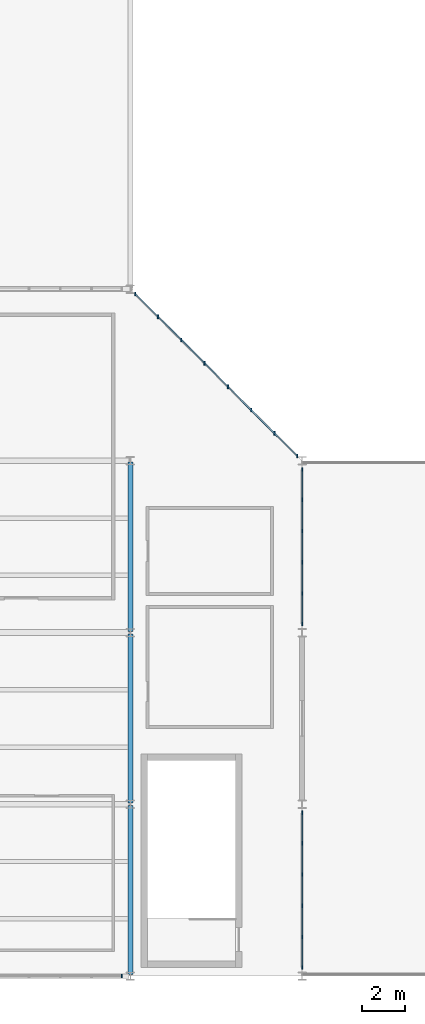
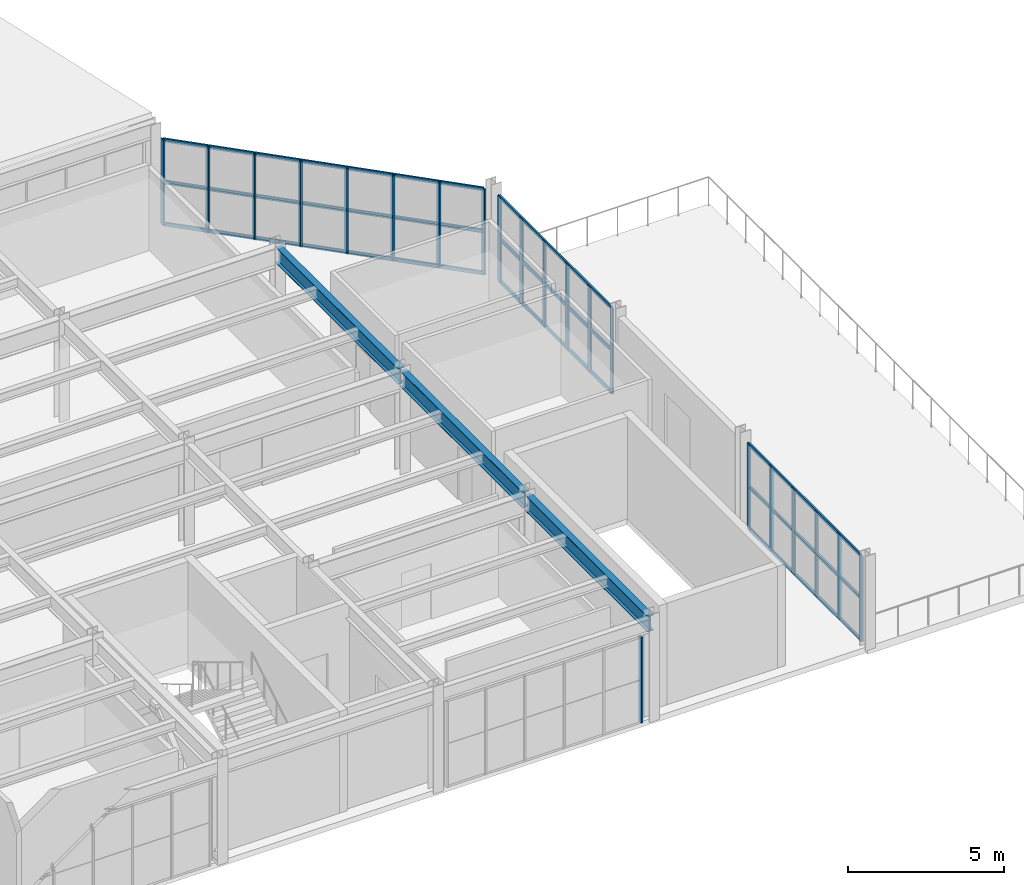
# One storey, part 4 of 27: 30 members, 3 beams, 4 elements without a shape of their own.
"""IFC4 building model written with IfcOpenShell, lengths in metres."""

from ifc_helpers import new_model, si_unit, direction, frame, origin, origin_2d, place, context, subcontext, project, spatial, rectangle, i_section, extrude, material, material_profile, profile_set, type_object, element, aggregate, save


model = new_model("IFC4")

# Units and contexts
model_context = context("Model", 3, precision=1e-05, world=origin(), true_north=direction((0.0, 1.0)))
body_context = subcontext(model_context, "Body", "Model", "MODEL_VIEW")
ifc_project = project(units=[si_unit("LENGTHUNIT", "METRE"), si_unit("AREAUNIT", "SQUARE_METRE"), si_unit("VOLUMEUNIT", "CUBIC_METRE"), si_unit("PLANEANGLEUNIT", "RADIAN"), si_unit("MASSUNIT", "GRAM", prefix="KILO")], contexts=[model_context])

# Site, building, storey
site_placement = place(None, origin())
site = spatial("IfcSite", under=ifc_project, at=site_placement, CompositionType="ELEMENT")
building_placement = place(site_placement, origin())
building = spatial("IfcBuilding", under=site, at=building_placement, Name="Drelvath Fold Interchange", CompositionType="ELEMENT")
storey_placement = place(building_placement, frame((0.0, 0.0, 19.800048828125)))
storey = spatial("IfcBuildingStorey", under=building, at=storey_placement, Name="L04", CompositionType="ELEMENT", Elevation=19.800048828125)

# Beams
ifc_material_1 = material(Name="Steel ASTM A992 Grade 50", Category="steel")
ifc_material_profile_1 = material_profile(ifc_material_1, i_section(OverallWidth=0.22998046875, OverallDepth=0.616943359375, WebThickness=0.01318359375, FlangeThickness=0.022216796875, at=origin_2d()), Name="W24X94")
ifc_profile_set_1 = profile_set([ifc_material_profile_1], Name="Steel ASTM A992 Grade 50")
beam_type = type_object("IfcBeamType", Name="BM-W24X94", PredefinedType="BEAM", material=ifc_profile_set_1)
for number, where, z_axis, x_axis, name in (
    (1, (36.0, 3.06005859375, 3.677001953125), (0.0, 1.0, 0.0), (-1.0, 0.0, 0.0), "L04 Primary Y girder BM-W24X94"),
    (2, (36.0, 11.06005859375, 3.677001953125), (0.0, 1.0, 0.0), (-1.0, 0.0, 0.0), "L04 Primary Y girder BM-W24X94"),
    (3, (36.0, 19.06005859375, 3.677001953125), (0.0, 1.0, 0.0), (-1.0, 0.0, 0.0), "L04 Primary Y girder BM-W24X94"),
):
    element("IfcBeam", number, at=place(storey_placement, frame(where, z_axis=z_axis, x_axis=x_axis)), inside=storey, type_object=beam_type, Name=name, PredefinedType="BEAM", context=body_context, shape_type="SweptSolid", body=[
        extrude(i_section(OverallWidth=0.22998046875, OverallDepth=0.616943359375, WebThickness=0.01318359375, FlangeThickness=0.022216796875, at=origin_2d()), origin(), (0.0, 0.0, 1.0), 7.8798828125),
    ])

# Curtain wall, member
ifc_material_2 = material(Name="Anodized Aluminium 6063-T6", Category="aluminium")
curtain_wall_type_1 = type_object("IfcCurtainWallType", Name="CW-OPS-UPP", PredefinedType="USERDEFINED", material=ifc_material_2)
curtain_wall_1_placement = place(storey_placement, origin())
curtain_wall_1 = element("IfcCurtainWall", 4, at=curtain_wall_1_placement, inside=storey, type_object=curtain_wall_type_1, Name="Curtain wall CW-V5-L04-S28", ObjectType="UNITISED CURTAIN WALL", PredefinedType="USERDEFINED")
ifc_material_profile_2 = material_profile(ifc_material_2, rectangle(XDim=0.06005859375, YDim=0.175048828125, at=origin_2d()), Name="AL-M 60x175")
ifc_profile_set_2 = profile_set([ifc_material_profile_2], Name="Anodized Aluminium 6063-T6")
member_type_1 = type_object("IfcMemberType", Name="ML-175", PredefinedType="MULLION", material=ifc_profile_set_2)
member_1_placement = place(storey_placement, frame((35.60009765625, 3.0, 0.0), z_axis=(0.0, 0.0, 1.0), x_axis=(1.0, 0.0, 0.0)))
member_1 = element("IfcMember", 5, at=member_1_placement, type_object=member_type_1, Name="CW-V5-L04-S28 mullion 5", PredefinedType="MULLION", context=body_context, shape_type="SweptSolid", body=[
    extrude(rectangle(XDim=0.06005859375, YDim=0.175048828125, at=origin_2d()), origin(), (0.0, 0.0, 1.0), 3.349853515625),
])
aggregate(curtain_wall_1, [member_1])

# Curtain wall, members
curtain_wall_2_placement = place(storey_placement, origin())
curtain_wall_2 = element("IfcCurtainWall", 6, at=curtain_wall_2_placement, inside=storey, type_object=curtain_wall_type_1, Name="Curtain wall CW-V5-L04-E3", ObjectType="UNITISED CURTAIN WALL", PredefinedType="USERDEFINED")
member_2_placement = place(storey_placement, frame((44.0, 3.39990234375, 0.0), z_axis=(0.0, 0.0, 1.0), x_axis=(1.0, 0.0, 0.0)))
member_2 = element("IfcMember", 7, at=member_2_placement, type_object=member_type_1, Name="CW-V5-L04-E3 mullion 0", PredefinedType="MULLION", context=body_context, shape_type="SweptSolid", body=[
    extrude(rectangle(XDim=0.06005859375, YDim=0.175048828125, at=origin_2d()), origin(), (0.0, 0.0, 1.0), 3.349853515625),
])
member_3_placement = place(storey_placement, frame((44.0, 4.81591796875, 0.0), z_axis=(0.0, 0.0, 1.0), x_axis=(1.0, 0.0, 0.0)))
member_3 = element("IfcMember", 8, at=member_3_placement, type_object=member_type_1, Name="CW-V5-L04-E3 mullion 1", PredefinedType="MULLION", context=body_context, shape_type="SweptSolid", body=[
    extrude(rectangle(XDim=0.06005859375, YDim=0.175048828125, at=origin_2d()), origin(), (0.0, 0.0, 1.0), 3.349853515625),
])
member_4_placement = place(storey_placement, frame((44.0, 6.27197265625, 0.0), z_axis=(0.0, 0.0, 1.0), x_axis=(1.0, 0.0, 0.0)))
member_4 = element("IfcMember", 9, at=member_4_placement, type_object=member_type_1, Name="CW-V5-L04-E3 mullion 2", PredefinedType="MULLION", context=body_context, shape_type="SweptSolid", body=[
    extrude(rectangle(XDim=0.06005859375, YDim=0.175048828125, at=origin_2d()), origin(), (0.0, 0.0, 1.0), 3.349853515625),
])
member_5_placement = place(storey_placement, frame((44.0, 7.72802734375, 0.0), z_axis=(0.0, 0.0, 1.0), x_axis=(1.0, 0.0, 0.0)))
member_5 = element("IfcMember", 10, at=member_5_placement, type_object=member_type_1, Name="CW-V5-L04-E3 mullion 3", PredefinedType="MULLION", context=body_context, shape_type="SweptSolid", body=[
    extrude(rectangle(XDim=0.06005859375, YDim=0.175048828125, at=origin_2d()), origin(), (0.0, 0.0, 1.0), 3.349853515625),
])
member_6_placement = place(storey_placement, frame((44.0, 9.18408203125, 0.0), z_axis=(0.0, 0.0, 1.0), x_axis=(1.0, 0.0, 0.0)))
member_6 = element("IfcMember", 11, at=member_6_placement, type_object=member_type_1, Name="CW-V5-L04-E3 mullion 4", PredefinedType="MULLION", context=body_context, shape_type="SweptSolid", body=[
    extrude(rectangle(XDim=0.06005859375, YDim=0.175048828125, at=origin_2d()), origin(), (0.0, 0.0, 1.0), 3.349853515625),
])
member_7_placement = place(storey_placement, frame((44.0, 10.60009765625, 0.0), z_axis=(0.0, 0.0, 1.0), x_axis=(1.0, 0.0, 0.0)))
member_7 = element("IfcMember", 12, at=member_7_placement, type_object=member_type_1, Name="CW-V5-L04-E3 mullion 5", PredefinedType="MULLION", context=body_context, shape_type="SweptSolid", body=[
    extrude(rectangle(XDim=0.06005859375, YDim=0.175048828125, at=origin_2d()), origin(), (0.0, 0.0, 1.0), 3.349853515625),
])

curtain_wall_3_placement = place(storey_placement, origin())
curtain_wall_3 = element("IfcCurtainWall", 13, at=curtain_wall_3_placement, inside=storey, type_object=curtain_wall_type_1, Name="Curtain wall CW-V5-L04-E19", ObjectType="UNITISED CURTAIN WALL", PredefinedType="USERDEFINED")
member_8_placement = place(storey_placement, frame((44.0, 19.39990234375, 0.0), z_axis=(0.0, 0.0, 1.0), x_axis=(1.0, 0.0, 0.0)))
member_8 = element("IfcMember", 14, at=member_8_placement, type_object=member_type_1, Name="CW-V5-L04-E19 mullion 0", PredefinedType="MULLION", context=body_context, shape_type="SweptSolid", body=[
    extrude(rectangle(XDim=0.06005859375, YDim=0.175048828125, at=origin_2d()), origin(), (0.0, 0.0, 1.0), 3.349853515625),
])
member_9_placement = place(storey_placement, frame((44.0, 20.81591796875, 0.0), z_axis=(0.0, 0.0, 1.0), x_axis=(1.0, 0.0, 0.0)))
member_9 = element("IfcMember", 15, at=member_9_placement, type_object=member_type_1, Name="CW-V5-L04-E19 mullion 1", PredefinedType="MULLION", context=body_context, shape_type="SweptSolid", body=[
    extrude(rectangle(XDim=0.06005859375, YDim=0.175048828125, at=origin_2d()), origin(), (0.0, 0.0, 1.0), 3.349853515625),
])
member_10_placement = place(storey_placement, frame((44.0, 22.27197265625, 0.0), z_axis=(0.0, 0.0, 1.0), x_axis=(1.0, 0.0, 0.0)))
member_10 = element("IfcMember", 16, at=member_10_placement, type_object=member_type_1, Name="CW-V5-L04-E19 mullion 2", PredefinedType="MULLION", context=body_context, shape_type="SweptSolid", body=[
    extrude(rectangle(XDim=0.06005859375, YDim=0.175048828125, at=origin_2d()), origin(), (0.0, 0.0, 1.0), 3.349853515625),
])
member_11_placement = place(storey_placement, frame((44.0, 23.72802734375, 0.0), z_axis=(0.0, 0.0, 1.0), x_axis=(1.0, 0.0, 0.0)))
member_11 = element("IfcMember", 17, at=member_11_placement, type_object=member_type_1, Name="CW-V5-L04-E19 mullion 3", PredefinedType="MULLION", context=body_context, shape_type="SweptSolid", body=[
    extrude(rectangle(XDim=0.06005859375, YDim=0.175048828125, at=origin_2d()), origin(), (0.0, 0.0, 1.0), 3.349853515625),
])
member_12_placement = place(storey_placement, frame((44.0, 25.18408203125, 0.0), z_axis=(0.0, 0.0, 1.0), x_axis=(1.0, 0.0, 0.0)))
member_12 = element("IfcMember", 18, at=member_12_placement, type_object=member_type_1, Name="CW-V5-L04-E19 mullion 4", PredefinedType="MULLION", context=body_context, shape_type="SweptSolid", body=[
    extrude(rectangle(XDim=0.06005859375, YDim=0.175048828125, at=origin_2d()), origin(), (0.0, 0.0, 1.0), 3.349853515625),
])
member_13_placement = place(storey_placement, frame((44.0, 26.60009765625, 0.0), z_axis=(0.0, 0.0, 1.0), x_axis=(1.0, 0.0, 0.0)))
member_13 = element("IfcMember", 19, at=member_13_placement, type_object=member_type_1, Name="CW-V5-L04-E19 mullion 5", PredefinedType="MULLION", context=body_context, shape_type="SweptSolid", body=[
    extrude(rectangle(XDim=0.06005859375, YDim=0.175048828125, at=origin_2d()), origin(), (0.0, 0.0, 1.0), 3.349853515625),
])

curtain_wall_type_2 = type_object("IfcCurtainWallType", Name="CW-OPS-CHM", PredefinedType="USERDEFINED", material=ifc_material_2)
curtain_wall_4_placement = place(storey_placement, origin())
curtain_wall_4 = element("IfcCurtainWall", 20, at=curtain_wall_4_placement, inside=storey, type_object=curtain_wall_type_2, Name="Curtain wall CW-V5-L04-CHM", ObjectType="UNITISED CURTAIN WALL", PredefinedType="USERDEFINED")
member_14_placement = place(storey_placement, frame((43.77197265625, 27.22802734375, 0.0), z_axis=(0.0, 0.0, 1.0), x_axis=(1.0, 0.0, 0.0)))
member_14 = element("IfcMember", 21, at=member_14_placement, type_object=member_type_1, Name="CW-V5-L04-CHM mullion 0", PredefinedType="MULLION", context=body_context, shape_type="SweptSolid", body=[
    extrude(rectangle(XDim=0.06005859375, YDim=0.175048828125, at=origin_2d()), origin(), (0.0, 0.0, 1.0), 3.349853515625),
])
member_15_placement = place(storey_placement, frame((42.714111328125, 28.285888671875, 0.0), z_axis=(0.0, 0.0, 1.0), x_axis=(1.0, 0.0, 0.0)))
member_15 = element("IfcMember", 22, at=member_15_placement, type_object=member_type_1, Name="CW-V5-L04-CHM mullion 1", PredefinedType="MULLION", context=body_context, shape_type="SweptSolid", body=[
    extrude(rectangle(XDim=0.06005859375, YDim=0.175048828125, at=origin_2d()), origin(), (0.0, 0.0, 1.0), 3.349853515625),
])
member_16_placement = place(storey_placement, frame((41.62890625, 29.37109375, 0.0), z_axis=(0.0, 0.0, 1.0), x_axis=(1.0, 0.0, 0.0)))
member_16 = element("IfcMember", 23, at=member_16_placement, type_object=member_type_1, Name="CW-V5-L04-CHM mullion 2", PredefinedType="MULLION", context=body_context, shape_type="SweptSolid", body=[
    extrude(rectangle(XDim=0.06005859375, YDim=0.175048828125, at=origin_2d()), origin(), (0.0, 0.0, 1.0), 3.349853515625),
])
member_17_placement = place(storey_placement, frame((40.54296875, 30.45703125, 0.0), z_axis=(0.0, 0.0, 1.0), x_axis=(1.0, 0.0, 0.0)))
member_17 = element("IfcMember", 24, at=member_17_placement, type_object=member_type_1, Name="CW-V5-L04-CHM mullion 3", PredefinedType="MULLION", context=body_context, shape_type="SweptSolid", body=[
    extrude(rectangle(XDim=0.06005859375, YDim=0.175048828125, at=origin_2d()), origin(), (0.0, 0.0, 1.0), 3.349853515625),
])
member_18_placement = place(storey_placement, frame((39.45703125, 31.54296875, 0.0), z_axis=(0.0, 0.0, 1.0), x_axis=(1.0, 0.0, 0.0)))
member_18 = element("IfcMember", 25, at=member_18_placement, type_object=member_type_1, Name="CW-V5-L04-CHM mullion 4", PredefinedType="MULLION", context=body_context, shape_type="SweptSolid", body=[
    extrude(rectangle(XDim=0.06005859375, YDim=0.175048828125, at=origin_2d()), origin(), (0.0, 0.0, 1.0), 3.349853515625),
])
member_19_placement = place(storey_placement, frame((38.37109375, 32.62890625, 0.0), z_axis=(0.0, 0.0, 1.0), x_axis=(1.0, 0.0, 0.0)))
member_19 = element("IfcMember", 26, at=member_19_placement, type_object=member_type_1, Name="CW-V5-L04-CHM mullion 5", PredefinedType="MULLION", context=body_context, shape_type="SweptSolid", body=[
    extrude(rectangle(XDim=0.06005859375, YDim=0.175048828125, at=origin_2d()), origin(), (0.0, 0.0, 1.0), 3.349853515625),
])
member_20_placement = place(storey_placement, frame((37.285888671875, 33.714111328125, 0.0), z_axis=(0.0, 0.0, 1.0), x_axis=(1.0, 0.0, 0.0)))
member_20 = element("IfcMember", 27, at=member_20_placement, type_object=member_type_1, Name="CW-V5-L04-CHM mullion 6", PredefinedType="MULLION", context=body_context, shape_type="SweptSolid", body=[
    extrude(rectangle(XDim=0.06005859375, YDim=0.175048828125, at=origin_2d()), origin(), (0.0, 0.0, 1.0), 3.349853515625),
])
member_21_placement = place(storey_placement, frame((36.22802734375, 34.77197265625, 0.0), z_axis=(0.0, 0.0, 1.0), x_axis=(1.0, 0.0, 0.0)))
member_21 = element("IfcMember", 28, at=member_21_placement, type_object=member_type_1, Name="CW-V5-L04-CHM mullion 7", PredefinedType="MULLION", context=body_context, shape_type="SweptSolid", body=[
    extrude(rectangle(XDim=0.06005859375, YDim=0.175048828125, at=origin_2d()), origin(), (0.0, 0.0, 1.0), 3.349853515625),
])

# Member
ifc_material_profile_3 = material_profile(ifc_material_2, rectangle(XDim=0.06005859375, YDim=0.139892578125, at=origin_2d()), Name="AL-T 60x140")
ifc_profile_set_3 = profile_set([ifc_material_profile_3], Name="Anodized Aluminium 6063-T6")
member_type_2 = type_object("IfcMemberType", Name="TR-140", PredefinedType="USERDEFINED", material=ifc_profile_set_3)
member_22_placement = place(storey_placement, frame((44.0, 3.39990234375, 0.030029296875), z_axis=(0.0, 1.0, 0.0), x_axis=(-1.0, 0.0, 0.0)))
member_22 = element("IfcMember", 29, at=member_22_placement, type_object=member_type_2, Name="CW-V5-L04-E3 transom 0", ObjectType="TRANSOM", PredefinedType="USERDEFINED", context=body_context, shape_type="SweptSolid", body=[
    extrude(rectangle(XDim=0.06005859375, YDim=0.139892578125, at=origin_2d()), origin(), (0.0, 0.0, 1.0), 7.2001953125),
])

member_23_placement = place(storey_placement, frame((44.0, 3.39990234375, 1.675048828125), z_axis=(0.0, 1.0, 0.0), x_axis=(-1.0, 0.0, 0.0)))
member_23 = element("IfcMember", 30, at=member_23_placement, type_object=member_type_2, Name="CW-V5-L04-E3 transom 1", ObjectType="TRANSOM", PredefinedType="USERDEFINED", context=body_context, shape_type="SweptSolid", body=[
    extrude(rectangle(XDim=0.06005859375, YDim=0.139892578125, at=origin_2d()), origin(), (0.0, 0.0, 1.0), 7.2001953125),
])

member_24_placement = place(storey_placement, frame((44.0, 3.39990234375, 3.320068359375), z_axis=(0.0, 1.0, 0.0), x_axis=(-1.0, 0.0, 0.0)))
member_24 = element("IfcMember", 31, at=member_24_placement, type_object=member_type_2, Name="CW-V5-L04-E3 transom 2", ObjectType="TRANSOM", PredefinedType="USERDEFINED", context=body_context, shape_type="SweptSolid", body=[
    extrude(rectangle(XDim=0.06005859375, YDim=0.139892578125, at=origin_2d()), origin(), (0.0, 0.0, 1.0), 7.2001953125),
])

aggregate(curtain_wall_2, [member_2, member_3, member_4, member_5, member_6, member_7, member_22, member_23, member_24])

member_25_placement = place(storey_placement, frame((44.0, 19.39990234375, 0.030029296875), z_axis=(0.0, 1.0, 0.0), x_axis=(-1.0, 0.0, 0.0)))
member_25 = element("IfcMember", 32, at=member_25_placement, type_object=member_type_2, Name="CW-V5-L04-E19 transom 0", ObjectType="TRANSOM", PredefinedType="USERDEFINED", context=body_context, shape_type="SweptSolid", body=[
    extrude(rectangle(XDim=0.06005859375, YDim=0.139892578125, at=origin_2d()), origin(), (0.0, 0.0, 1.0), 7.2001953125),
])

member_26_placement = place(storey_placement, frame((44.0, 19.39990234375, 1.675048828125), z_axis=(0.0, 1.0, 0.0), x_axis=(-1.0, 0.0, 0.0)))
member_26 = element("IfcMember", 33, at=member_26_placement, type_object=member_type_2, Name="CW-V5-L04-E19 transom 1", ObjectType="TRANSOM", PredefinedType="USERDEFINED", context=body_context, shape_type="SweptSolid", body=[
    extrude(rectangle(XDim=0.06005859375, YDim=0.139892578125, at=origin_2d()), origin(), (0.0, 0.0, 1.0), 7.2001953125),
])

member_27_placement = place(storey_placement, frame((44.0, 19.39990234375, 3.320068359375), z_axis=(0.0, 1.0, 0.0), x_axis=(-1.0, 0.0, 0.0)))
member_27 = element("IfcMember", 34, at=member_27_placement, type_object=member_type_2, Name="CW-V5-L04-E19 transom 2", ObjectType="TRANSOM", PredefinedType="USERDEFINED", context=body_context, shape_type="SweptSolid", body=[
    extrude(rectangle(XDim=0.06005859375, YDim=0.139892578125, at=origin_2d()), origin(), (0.0, 0.0, 1.0), 7.2001953125),
])

aggregate(curtain_wall_3, [member_8, member_9, member_10, member_11, member_12, member_13, member_25, member_26, member_27])

member_28_placement = place(storey_placement, frame((43.77197265625, 27.22802734375, 0.030029296875), z_axis=(-0.707106781187, 0.707106781187, 0.0), x_axis=(-0.707106781187, -0.707106781187, 0.0)))
member_28 = element("IfcMember", 35, at=member_28_placement, type_object=member_type_2, Name="CW-V5-L04-CHM transom 0", ObjectType="TRANSOM", PredefinedType="USERDEFINED", context=body_context, shape_type="SweptSolid", body=[
    extrude(rectangle(XDim=0.06005859375, YDim=0.139892578125, at=origin_2d()), origin(), (0.0, 0.0, 1.0), 10.668701171875),
])

member_29_placement = place(storey_placement, frame((43.77197265625, 27.22802734375, 1.675048828125), z_axis=(-0.707106781187, 0.707106781187, 0.0), x_axis=(-0.707106781187, -0.707106781187, 0.0)))
member_29 = element("IfcMember", 36, at=member_29_placement, type_object=member_type_2, Name="CW-V5-L04-CHM transom 1", ObjectType="TRANSOM", PredefinedType="USERDEFINED", context=body_context, shape_type="SweptSolid", body=[
    extrude(rectangle(XDim=0.06005859375, YDim=0.139892578125, at=origin_2d()), origin(), (0.0, 0.0, 1.0), 10.668701171875),
])

member_30_placement = place(storey_placement, frame((43.77197265625, 27.22802734375, 3.320068359375), z_axis=(-0.707106781187, 0.707106781187, 0.0), x_axis=(-0.707106781187, -0.707106781187, 0.0)))
member_30 = element("IfcMember", 37, at=member_30_placement, type_object=member_type_2, Name="CW-V5-L04-CHM transom 2", ObjectType="TRANSOM", PredefinedType="USERDEFINED", context=body_context, shape_type="SweptSolid", body=[
    extrude(rectangle(XDim=0.06005859375, YDim=0.139892578125, at=origin_2d()), origin(), (0.0, 0.0, 1.0), 10.668701171875),
])

aggregate(curtain_wall_4, [member_14, member_15, member_16, member_17, member_18, member_19, member_20, member_21, member_28, member_29, member_30])

save(model, "model.ifc")
